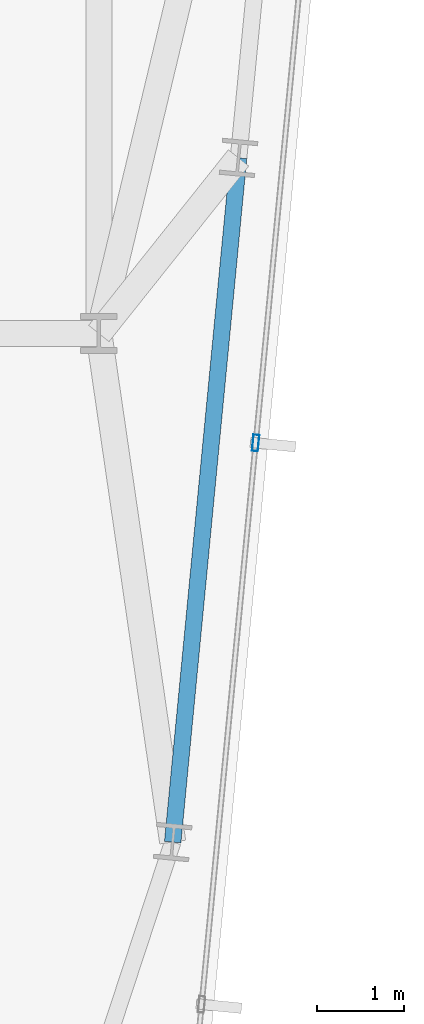
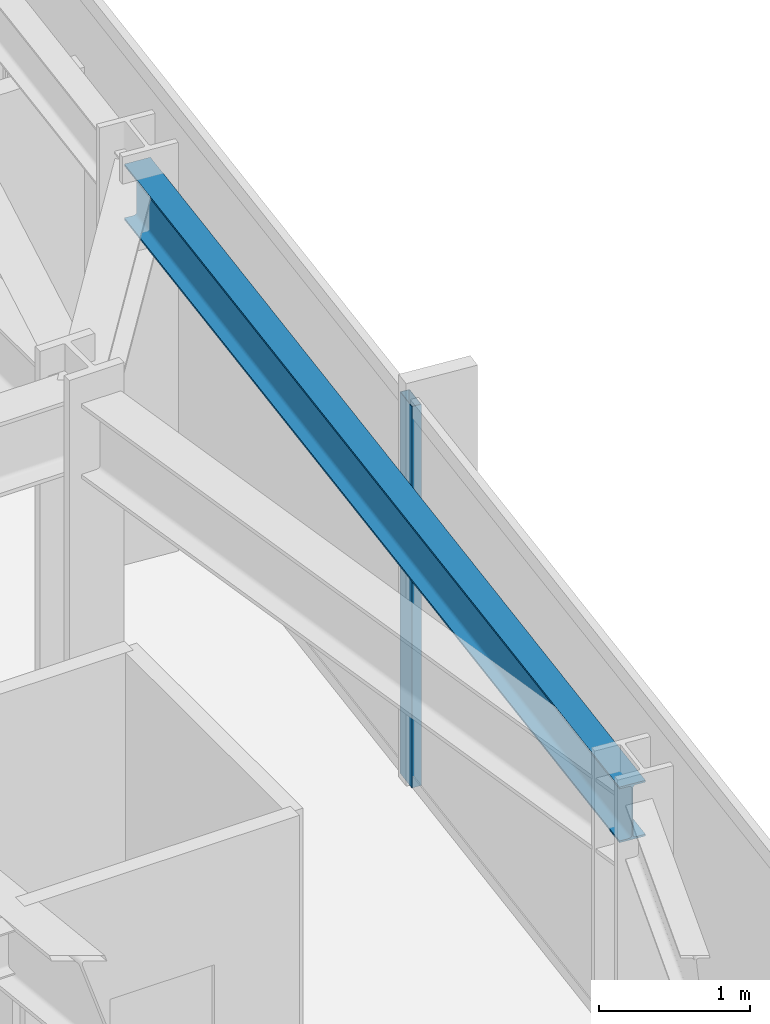
# One storey, part 16 of 37: 1 beam, 1 member, 1 element without a shape of its own.
"""IFC4 building model written with IfcOpenShell, lengths in metres."""

from ifc_helpers import new_model, si_unit, direction, frame, origin, origin_2d, place, context, subcontext, project, spatial, hollow_rectangle, i_section, extrude, material, material_profile, profile_set, type_object, element, aggregate, save


model = new_model("IFC4")

# Units and contexts
model_context = context("Model", 3, precision=1e-05, world=origin(), true_north=direction((0.0, 1.0)))
body_context = subcontext(model_context, "Body", "Model", "MODEL_VIEW")
ifc_project = project(units=[si_unit("LENGTHUNIT", "METRE"), si_unit("AREAUNIT", "SQUARE_METRE"), si_unit("VOLUMEUNIT", "CUBIC_METRE"), si_unit("PLANEANGLEUNIT", "RADIAN"), si_unit("MASSUNIT", "GRAM", prefix="KILO")], contexts=[model_context])

# Site, building, storey
site_placement = place(None, origin())
site = spatial("IfcSite", under=ifc_project, at=site_placement, CompositionType="ELEMENT")
building_placement = place(site_placement, origin())
building = spatial("IfcBuilding", under=site, at=building_placement, Name="Yelkora Congress Tower", CompositionType="ELEMENT")
storey_placement = place(building_placement, frame((0.0, 0.0, 182.0)))
storey = spatial("IfcBuildingStorey", under=building, at=storey_placement, Name="L50", CompositionType="ELEMENT", Elevation=182.0)

# Beam
ifc_material_1 = material(Name="Steel S355J2", Category="steel")
ifc_material_profile_1 = material_profile(ifc_material_1, i_section(OverallWidth=0.18994140625, OverallDepth=0.449951171875, WebThickness=0.009521484375, FlangeThickness=0.0146484375, FilletRadius=0.02099609375, at=origin_2d()), Name="IPE 450")
ifc_profile_set_1 = profile_set([ifc_material_profile_1], Name="Steel S355J2")
beam_type = type_object("IfcBeamType", Name="BM-SPAN-IPE450", PredefinedType="SPANDREL", material=ifc_profile_set_1)
beam_placement = place(storey_placement, frame((58.44921875, 19.353759765625, 2.85498046875), z_axis=(0.095831353931, 0.995397584689, 0.0), x_axis=(-0.995397584689, 0.095831353931, 0.0)))
element("IfcBeam", 1, at=beam_placement, inside=storey, type_object=beam_type, Name="L50 Perimeter Beam 10", PredefinedType="SPANDREL", context=body_context, shape_type="SweptSolid", body=[
    extrude(i_section(OverallWidth=0.18994140625, OverallDepth=0.449951171875, WebThickness=0.009521484375, FlangeThickness=0.0146484375, FilletRadius=0.02099609375, at=origin_2d()), origin(), (0.0, 0.0, 1.0), 7.900146484375),
])

# Curtain wall, member
ifc_material_2 = material(Name="Anodised aluminium and insulated glass", Category="aluminium")
curtain_wall_type = type_object("IfcCurtainWallType", Name="CW-SYS-B3", PredefinedType="NOTDEFINED", material=ifc_material_2)
curtain_wall_placement = place(storey_placement, origin())
curtain_wall = element("IfcCurtainWall", 2, at=curtain_wall_placement, inside=storey, type_object=curtain_wall_type, Name="L50 Unitised Curtain Wall 15", PredefinedType="NOTDEFINED")
ifc_material_3 = material(Name="Anodised aluminium 6063-T6", Category="aluminium")
ifc_material_profile_2 = material_profile(ifc_material_3, hollow_rectangle(XDim=0.070068359375, YDim=0.18994140625, WallThickness=0.00390625, at=origin_2d()), Name="ALU 70x190x4")
ifc_profile_set_2 = profile_set([ifc_material_profile_2], Name="Anodised aluminium 6063-T6")
member_type = type_object("IfcMemberType", Name="MEM-ML-B3", PredefinedType="MULLION", material=ifc_profile_set_2)
member_placement = place(storey_placement, frame((59.4033203125, 23.94140625, 0.0), z_axis=(0.0, 0.0, 1.0), x_axis=(0.995396565076, -0.095841944023, 0.0)))
member = element("IfcMember", 3, at=member_placement, type_object=member_type, Name="CW-B3 mullion 4", PredefinedType="MULLION", context=body_context, shape_type="SweptSolid", body=[
    extrude(hollow_rectangle(XDim=0.070068359375, YDim=0.18994140625, WallThickness=0.00390625, at=origin_2d()), origin(), (0.0, 0.0, 1.0), 3.080078125),
])
aggregate(curtain_wall, [member])

save(model, "model.ifc")
